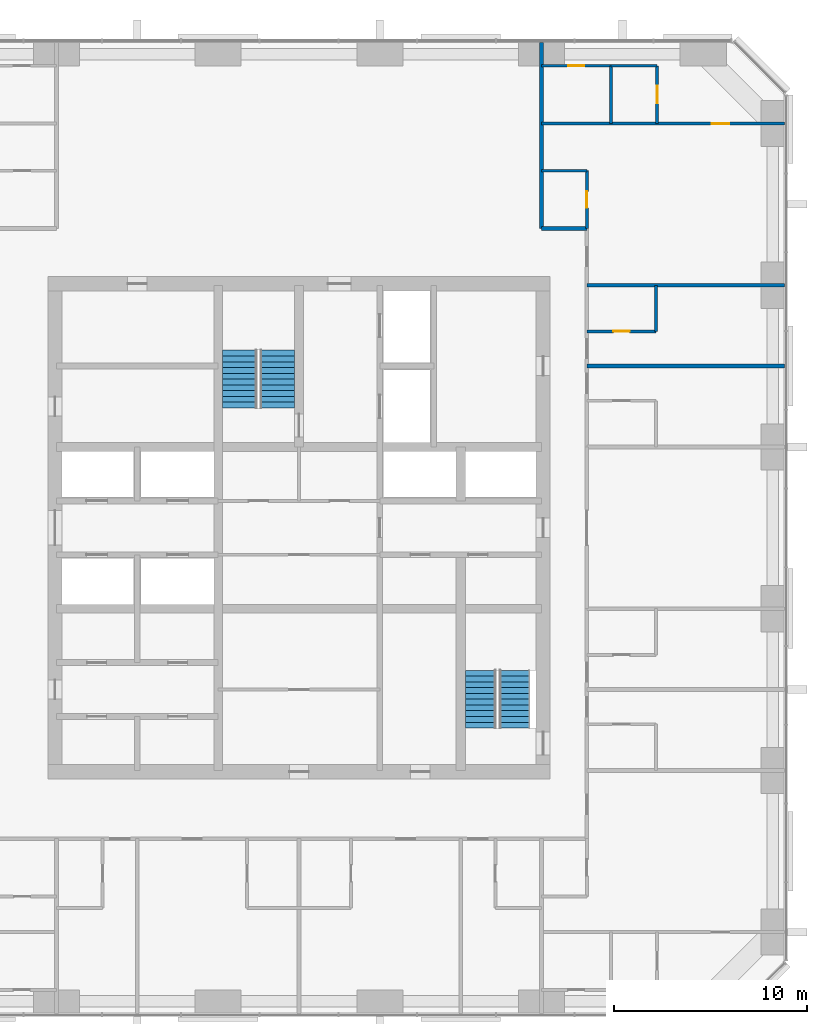
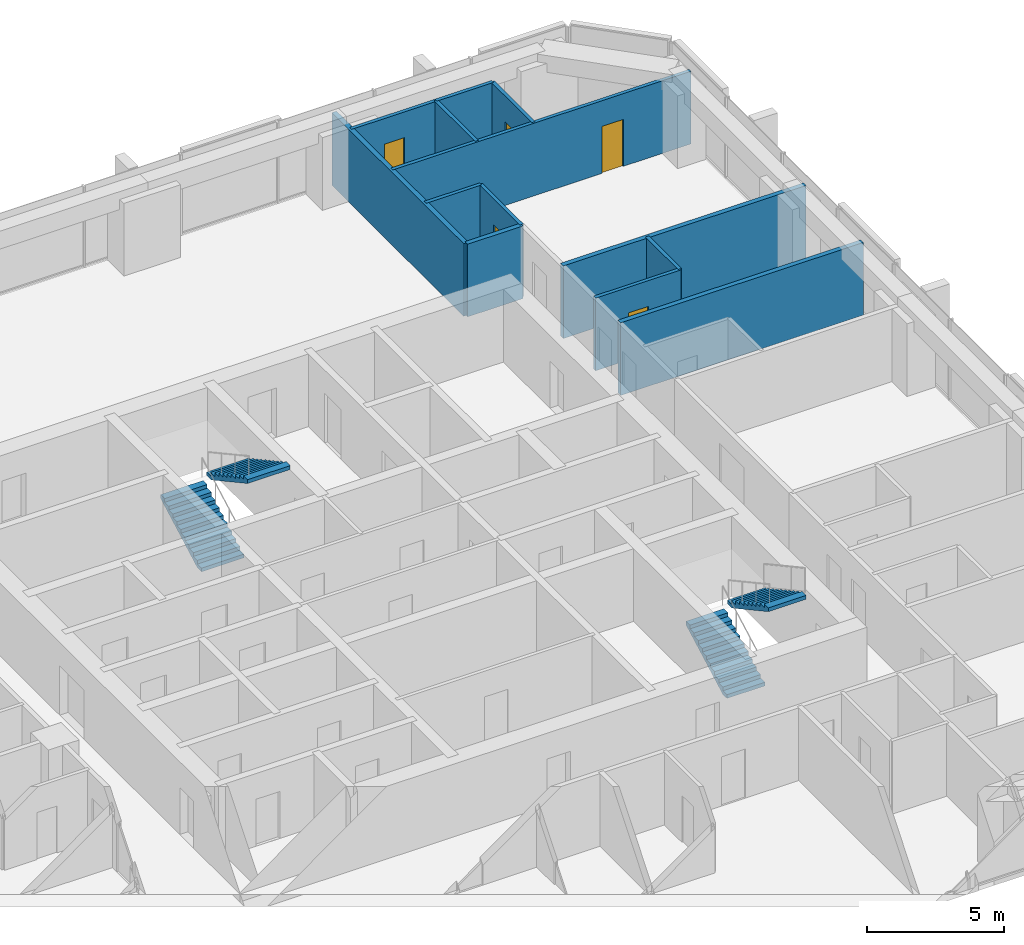
# One storey, part 12 of 13: 13 walls, 5 doors, 4 stair flights, 5 openings, 2 elements without a shape of their own.
"""IFC4 building model written with IfcOpenShell, lengths in metres."""

from ifc_helpers import new_model, si_unit, direction, frame, frame_2d, origin, place, context, subcontext, project, spatial, polyline, rectangle, outline, extrude, material, layer, layer_set, type_object, element, fill, aggregate, save


model = new_model("IFC4")

# Units and contexts
model_context = context("Model", 3, precision=1e-05, world=origin(), true_north=direction((0.0, 1.0)))
body_context = subcontext(model_context, "Body", "Model", "MODEL_VIEW")
ifc_project = project(units=[si_unit("LENGTHUNIT", "METRE"), si_unit("AREAUNIT", "SQUARE_METRE"), si_unit("VOLUMEUNIT", "CUBIC_METRE"), si_unit("PLANEANGLEUNIT", "RADIAN"), si_unit("MASSUNIT", "GRAM", prefix="KILO")], contexts=[model_context])

# Site, building, storey
site_placement = place(None, origin())
site = spatial("IfcSite", under=ifc_project, at=site_placement, CompositionType="ELEMENT")
building_placement = place(site_placement, origin())
building = spatial("IfcBuilding", under=site, at=building_placement, Name="Dunama Terrace Hotel", CompositionType="ELEMENT")
storey_placement = place(building_placement, frame((0.0, 0.0, 173.39990234375)))
storey = spatial("IfcBuildingStorey", under=building, at=storey_placement, Name="L44", CompositionType="ELEMENT", Elevation=173.39990234375)

# Wall, opening, door
ifc_material_1 = material(Name="Gypsum board partition", Category="masonry")
ifc_layer_1 = layer(ifc_material_1, 0.14990234375)
ifc_layer_set_1 = layer_set([ifc_layer_1], Name="Bathroom partition 150")
wall_type_1 = type_object("IfcWallType", Name="Bathroom partition 150", PredefinedType="PARTITIONING", material=ifc_layer_set_1)
wall_1_placement = place(storey_placement, frame((44.35009765625, 44.949951171875, 0.0), z_axis=(0.0, 0.0, 1.0), x_axis=(0.0, 1.0, 0.0)))
wall_1 = element("IfcWall", 1, at=wall_1_placement, inside=storey, type_object=wall_type_1, Name="Bathroom partition 150 L44", PredefinedType="PARTITIONING", context=body_context, shape_type="SweptSolid", body=[
    extrude(rectangle(XDim=3.0, YDim=0.14990234375, at=frame_2d((1.5, 0.0))), origin(), (0.0, 0.0, 1.0), 3.25),
])
opening_1_placement = place(wall_1_placement, frame((1.074951171875, 0.0, 0.0)))
opening_1 = element("IfcOpeningElement", 2, at=opening_1_placement, cuts=wall_1, Name="Opening L42-44-049", PredefinedType="OPENING", context=body_context, shape_type="SweptSolid", body=[
    extrude(rectangle(XDim=0.85009765625, YDim=2.10009765625, at=frame_2d((0.425048828125, 1.050048828125))), frame((0.0, 0.0849609375, 0.0), z_axis=(0.0, -1.0, 0.0), x_axis=(1.0, 0.0, 0.0)), (0.0, 0.0, 1.0), 0.169921875),
])
ifc_material_2 = material(Name="Timber door with steel frame", Category="steel")
door_type_1 = type_object("IfcDoorType", Name="Bathroom door 850", OperationType="SINGLE_SWING_LEFT", PredefinedType="DOOR", material=ifc_material_2)
door_1_placement = place(opening_1_placement, origin())
door_1 = element("IfcDoor", 3, at=door_1_placement, inside=storey, type_object=door_type_1, Name="Door to powder room L42-44-049, type D2", OperationType="SINGLE_SWING_LEFT", OverallHeight=2.10009765625, OverallWidth=0.85009765625, PredefinedType="DOOR", context=body_context, shape_type="SweptSolid", body=[
    extrude(rectangle(XDim=0.85009765625, YDim=2.10009765625, at=frame_2d((0.425048828125, 1.050048828125))), frame((0.0, 0.02490234375, 0.0), z_axis=(0.0, -1.0, 0.0), x_axis=(1.0, 0.0, 0.0)), (0.0, 0.0, 1.0), 0.050048828125),
])
fill(opening_1, door_1)

# Wall
wall_2_placement = place(storey_placement, frame((47.949951171875, 39.60009765625, 0.0), z_axis=(0.0, 0.0, 1.0), x_axis=(0.0, 1.0, 0.0)))
element("IfcWall", 4, at=wall_2_placement, inside=storey, type_object=wall_type_1, Name="Bathroom partition 150 L44", PredefinedType="PARTITIONING", context=body_context, shape_type="SweptSolid", body=[
    extrude(rectangle(XDim=2.39990234375, YDim=0.14990234375, at=frame_2d((1.199951171875, 0.0))), origin(), (0.0, 0.0, 1.0), 3.25),
])

# Wall, opening, door
wall_3_placement = place(storey_placement, frame((44.35009765625, 39.60009765625, 0.0), z_axis=(0.0, 0.0, 1.0), x_axis=(1.0, 0.0, 0.0)))
wall_3 = element("IfcWall", 5, at=wall_3_placement, inside=storey, type_object=wall_type_1, Name="Bathroom partition 150 L44", PredefinedType="PARTITIONING", context=body_context, shape_type="SweptSolid", body=[
    extrude(rectangle(XDim=3.599853515625, YDim=0.14990234375, at=frame_2d((1.7998046875, 0.0))), origin(), (0.0, 0.0, 1.0), 3.25),
])
opening_2_placement = place(wall_3_placement, frame((1.375, 0.0, 0.0)))
opening_2 = element("IfcOpeningElement", 6, at=opening_2_placement, cuts=wall_3, Name="Opening L42-44-025", PredefinedType="OPENING", context=body_context, shape_type="SweptSolid", body=[
    extrude(rectangle(XDim=0.85009765625, YDim=2.10009765625, at=frame_2d((0.425048828125, 1.050048828125))), frame((0.0, 0.0849609375, 0.0), z_axis=(0.0, -1.0, 0.0), x_axis=(1.0, 0.0, 0.0)), (0.0, 0.0, 1.0), 0.169921875),
])
door_2_placement = place(opening_2_placement, origin())
door_2 = element("IfcDoor", 7, at=door_2_placement, inside=storey, type_object=door_type_1, Name="Door to en-suite bathroom L42-44-025, type D2", OperationType="SINGLE_SWING_LEFT", OverallHeight=2.10009765625, OverallWidth=0.85009765625, PredefinedType="DOOR", context=body_context, shape_type="SweptSolid", body=[
    extrude(rectangle(XDim=0.85009765625, YDim=2.10009765625, at=frame_2d((0.425048828125, 1.050048828125))), frame((0.0, 0.02490234375, 0.0), z_axis=(0.0, -1.0, 0.0), x_axis=(1.0, 0.0, 0.0)), (0.0, 0.0, 1.0), 0.050048828125),
])
fill(opening_2, door_2)

# Wall
wall_4_placement = place(storey_placement, frame((42.0, 47.949951171875, 0.0), z_axis=(0.0, 0.0, 1.0), x_axis=(1.0, 0.0, 0.0)))
element("IfcWall", 8, at=wall_4_placement, inside=storey, type_object=wall_type_1, Name="Bathroom partition 150 L44", PredefinedType="PARTITIONING", context=body_context, shape_type="SweptSolid", body=[
    extrude(rectangle(XDim=2.35009765625, YDim=0.14990234375, at=frame_2d((1.175048828125, 0.0))), origin(), (0.0, 0.0, 1.0), 3.25),
])

# Wall, opening, door
wall_5_placement = place(storey_placement, frame((42.0, 53.39990234375, 0.0), z_axis=(0.0, 0.0, 1.0), x_axis=(1.0, 0.0, 0.0)))
wall_5 = element("IfcWall", 9, at=wall_5_placement, inside=storey, type_object=wall_type_1, Name="Bathroom partition 150 L44", PredefinedType="PARTITIONING", context=body_context, shape_type="SweptSolid", body=[
    extrude(rectangle(XDim=3.60009765625, YDim=0.14990234375, at=frame_2d((1.800048828125, 0.0))), origin(), (0.0, 0.0, 1.0), 3.25),
])
opening_3_placement = place(wall_5_placement, frame((1.375, 0.0, 0.0)))
opening_3 = element("IfcOpeningElement", 10, at=opening_3_placement, cuts=wall_5, Name="Opening L42-44-051", PredefinedType="OPENING", context=body_context, shape_type="SweptSolid", body=[
    extrude(rectangle(XDim=0.85009765625, YDim=2.10009765625, at=frame_2d((0.425048828125, 1.050048828125))), frame((0.0, 0.0849609375, 0.0), z_axis=(0.0, -1.0, 0.0), x_axis=(1.0, 0.0, 0.0)), (0.0, 0.0, 1.0), 0.169921875),
])
door_3_placement = place(opening_3_placement, frame((0.85009765625, 0.0, 0.0), z_axis=(0.0, 0.0, 1.0), x_axis=(-1.0, 0.0, 0.0)))
door_3 = element("IfcDoor", 11, at=door_3_placement, inside=storey, type_object=door_type_1, Name="Door to en-suite bathroom L42-44-051, type D2", OperationType="SINGLE_SWING_RIGHT", OverallHeight=2.10009765625, OverallWidth=0.85009765625, PredefinedType="DOOR", context=body_context, shape_type="SweptSolid", body=[
    extrude(rectangle(XDim=0.85009765625, YDim=2.10009765625, at=frame_2d((0.425048828125, 1.050048828125))), frame((0.0, 0.025146484375, 0.0), z_axis=(0.0, -1.0, 0.0), x_axis=(1.0, 0.0, 0.0)), (0.0, 0.0, 1.0), 0.050048828125),
])
fill(opening_3, door_3)

# Walls
ifc_material_3 = material(Name="Concrete blockwork", Category="masonry")
ifc_layer_2 = layer(ifc_material_3, 0.199951171875)
ifc_layer_set_2 = layer_set([ifc_layer_2], Name="Corridor partition 200")
wall_type_2 = type_object("IfcWallType", Name="Corridor partition 200", PredefinedType="PARTITIONING", material=ifc_layer_set_2)
wall_6_placement = place(storey_placement, frame((42.0, 44.949951171875, 0.0), z_axis=(0.0, 0.0, 1.0), x_axis=(1.0, 0.0, 0.0)))
element("IfcWall", 12, at=wall_6_placement, inside=storey, type_object=wall_type_2, Name="Corridor partition 200 L44", PredefinedType="PARTITIONING", context=body_context, shape_type="SweptSolid", body=[
    extrude(rectangle(XDim=2.35009765625, YDim=0.199951171875, at=frame_2d((1.175048828125, 0.0))), origin(), (0.0, 0.0, 1.0), 3.25),
])
wall_7_placement = place(storey_placement, frame((42.0, 54.617919921875, 0.0), z_axis=(0.0, 0.0, 1.0), x_axis=(0.0, -1.0, 0.0)))
element("IfcWall", 13, at=wall_7_placement, inside=storey, type_object=wall_type_2, Name="Corridor partition 200 L44", PredefinedType="PARTITIONING", context=body_context, shape_type="SweptSolid", body=[
    extrude(rectangle(XDim=9.66796875, YDim=0.199951171875, at=frame_2d((4.833984375, 0.0))), origin(), (0.0, 0.0, 1.0), 3.25),
])
ifc_material_4 = material(Name="Concrete blockwork", Category="masonry")
ifc_layer_3 = layer(ifc_material_4, 0.199951171875)
ifc_layer_set_3 = layer_set([ifc_layer_3], Name="Party wall 200")
wall_type_3 = type_object("IfcWallType", Name="Party wall 200", PredefinedType="PARTITIONING", material=ifc_layer_set_3)
for number, where, z_axis, x_axis, name in (
    (14, (44.35009765625, 37.800048828125, 0.0), (0.0, 0.0, 1.0), (1.0, 0.0, 0.0), "Party wall 200 L44"),
    (15, (44.35009765625, 42.0, 0.0), (0.0, 0.0, 1.0), (1.0, 0.0, 0.0), "Party wall 200 L44"),
):
    element("IfcWall", number, at=place(storey_placement, frame(where, z_axis=z_axis, x_axis=x_axis)), inside=storey, type_object=wall_type_3, Name=name, PredefinedType="PARTITIONING", context=body_context, shape_type="SweptSolid", body=[
        extrude(rectangle(XDim=10.267822265625, YDim=0.199951171875, at=frame_2d((5.1337890625, 0.0))), origin(), (0.0, 0.0, 1.0), 3.25),
    ])
ifc_material_5 = material(Name="Gypsum board partition", Category="masonry")
ifc_layer_4 = layer(ifc_material_5, 0.14990234375)
ifc_layer_set_4 = layer_set([ifc_layer_4], Name="Room partition 150")
wall_type_4 = type_object("IfcWallType", Name="Room partition 150", PredefinedType="PARTITIONING", material=ifc_layer_set_4)
wall_8_placement = place(storey_placement, frame((45.60009765625, 50.39990234375, 0.0), z_axis=(0.0, 0.0, 1.0), x_axis=(0.0, 1.0, 0.0)))
element("IfcWall", 16, at=wall_8_placement, inside=storey, type_object=wall_type_4, Name="Room partition 150 L44", PredefinedType="PARTITIONING", context=body_context, shape_type="SweptSolid", body=[
    extrude(rectangle(XDim=3.0, YDim=0.14990234375, at=frame_2d((1.5, 0.0))), origin(), (0.0, 0.0, 1.0), 3.25),
])

# Wall, opening, door
wall_9_placement = place(storey_placement, frame((48.0, 50.39990234375, 0.0), z_axis=(0.0, 0.0, 1.0), x_axis=(0.0, 1.0, 0.0)))
wall_9 = element("IfcWall", 17, at=wall_9_placement, inside=storey, type_object=wall_type_4, Name="Room partition 150 L44", PredefinedType="PARTITIONING", context=body_context, shape_type="SweptSolid", body=[
    extrude(rectangle(XDim=3.0, YDim=0.14990234375, at=frame_2d((1.5, 0.0))), origin(), (0.0, 0.0, 1.0), 3.25),
])
opening_4_placement = place(wall_9_placement, frame((1.050048828125, 0.0, 0.0)))
opening_4 = element("IfcOpeningElement", 18, at=opening_4_placement, cuts=wall_9, Name="Opening L42-44-052", PredefinedType="OPENING", context=body_context, shape_type="SweptSolid", body=[
    extrude(rectangle(XDim=0.89990234375, YDim=2.10009765625, at=frame_2d((0.449951171875, 1.050048828125))), frame((0.0, 0.0849609375, 0.0), z_axis=(0.0, -1.0, 0.0), x_axis=(1.0, 0.0, 0.0)), (0.0, 0.0, 1.0), 0.169921875),
])
ifc_material_6 = material(Name="Timber door with steel frame", Category="steel")
door_type_2 = type_object("IfcDoorType", Name="Suite internal door 900", OperationType="SINGLE_SWING_LEFT", PredefinedType="DOOR", material=ifc_material_6)
door_4_placement = place(opening_4_placement, origin())
door_4 = element("IfcDoor", 19, at=door_4_placement, inside=storey, type_object=door_type_2, Name="Door to dressing room L42-44-052, type D16", OperationType="SINGLE_SWING_LEFT", OverallHeight=2.10009765625, OverallWidth=0.89990234375, PredefinedType="DOOR", context=body_context, shape_type="SweptSolid", body=[
    extrude(rectangle(XDim=0.89990234375, YDim=2.10009765625, at=frame_2d((0.449951171875, 1.050048828125))), frame((0.0, 0.02490234375, 0.0), z_axis=(0.0, -1.0, 0.0), x_axis=(1.0, 0.0, 0.0)), (0.0, 0.0, 1.0), 0.050048828125),
])
fill(opening_4, door_4)

wall_10_placement = place(storey_placement, frame((42.0, 50.39990234375, 0.0), z_axis=(0.0, 0.0, 1.0), x_axis=(1.0, 0.0, 0.0)))
wall_10 = element("IfcWall", 20, at=wall_10_placement, inside=storey, type_object=wall_type_4, Name="Room partition 150 L44", PredefinedType="PARTITIONING", context=body_context, shape_type="SweptSolid", body=[
    extrude(rectangle(XDim=12.617919921875, YDim=0.14990234375, at=frame_2d((6.30908203125, 0.0))), origin(), (0.0, 0.0, 1.0), 3.25),
])
opening_5_placement = place(wall_10_placement, frame((8.85009765625, 0.0, 0.0)))
opening_5 = element("IfcOpeningElement", 21, at=opening_5_placement, cuts=wall_10, Name="Opening L42-44-050", PredefinedType="OPENING", context=body_context, shape_type="SweptSolid", body=[
    extrude(rectangle(XDim=0.89990234375, YDim=2.10009765625, at=frame_2d((0.449951171875, 1.050048828125))), frame((0.0, 0.0849609375, 0.0), z_axis=(0.0, -1.0, 0.0), x_axis=(1.0, 0.0, 0.0)), (0.0, 0.0, 1.0), 0.169921875),
])
door_5_placement = place(opening_5_placement, origin())
door_5 = element("IfcDoor", 22, at=door_5_placement, inside=storey, type_object=door_type_2, Name="Door to corner suite bedroom L42-44-050, type D16", OperationType="SINGLE_SWING_RIGHT", OverallHeight=2.10009765625, OverallWidth=0.89990234375, PredefinedType="DOOR", context=body_context, shape_type="SweptSolid", body=[
    extrude(rectangle(XDim=0.89990234375, YDim=2.10009765625, at=frame_2d((0.449951171875, 1.050048828125))), frame((0.0, 0.02490234375, 0.0), z_axis=(0.0, -1.0, 0.0), x_axis=(1.0, 0.0, 0.0)), (0.0, 0.0, 1.0), 0.050048828125),
])
fill(opening_5, door_5)

# Wall
wall_11_placement = place(storey_placement, frame((45.60009765625, 53.39990234375, 0.0), z_axis=(0.0, 0.0, 1.0), x_axis=(1.0, 0.0, 0.0)))
element("IfcWall", 23, at=wall_11_placement, inside=storey, type_object=wall_type_4, Name="Room partition 150 L44", PredefinedType="PARTITIONING", context=body_context, shape_type="SweptSolid", body=[
    extrude(rectangle(XDim=2.39990234375, YDim=0.14990234375, at=frame_2d((1.199951171875, 0.0))), origin(), (0.0, 0.0, 1.0), 3.25),
])

# Stair, stair flights
ifc_material_7 = material(Name="Concrete C40/50", Category="concrete")
stair_type_1 = type_object("IfcStairType", Name="Stair ST1-3600-1800", PredefinedType="HALF_TURN_STAIR", material=ifc_material_7)
stair_1_placement = place(storey_placement, origin())
stair_1 = element("IfcStair", 24, at=stair_1_placement, inside=storey, type_object=stair_type_1, Name="Stair ST1 L44", PredefinedType="HALF_TURN_STAIR")
ifc_material_8 = material(Name="Concrete C40/50", Category="concrete")
stair_flight_type_1 = type_object("IfcStairFlightType", Name="Stair flight ST1-3600-1800", PredefinedType="STRAIGHT", material=ifc_material_8)
stair_flight_1_placement = place(storey_placement, frame((26.324951171875, 35.625, 0.0), z_axis=(0.0, 0.0, 1.0), x_axis=(0.0, 1.0, 0.0)))
stair_flight_1 = element("IfcStairFlight", 25, at=stair_flight_1_placement, type_object=stair_flight_type_1, Name="ST1 flight 1", NumberOfRisers=11, NumberOfTreads=10, PredefinedType="STRAIGHT", RiserHeight=0.163636364, TreadLength=0.3, context=body_context, shape_type="SweptSolid", body=[
    extrude(outline(polyline([(0.0, 0.0), (0.0, 0.16357421875), (0.300048828125, 0.16357421875), (0.300048828125, 0.327392578125), (0.60009765625, 0.327392578125), (0.60009765625, 0.490966796875), (0.89990234375, 0.490966796875), (0.89990234375, 0.654541015625), (1.199951171875, 0.654541015625), (1.199951171875, 0.818115234375), (1.5, 0.818115234375), (1.5, 0.98193359375), (1.800048828125, 0.98193359375), (1.800048828125, 1.1455078125), (2.10009765625, 1.1455078125), (2.10009765625, 1.30908203125), (2.39990234375, 1.30908203125), (2.39990234375, 1.47265625), (2.699951171875, 1.47265625), (2.699951171875, 1.636474609375), (3.0, 1.636474609375), (3.0, 1.800048828125), (3.0, 1.465576171875), (0.31298828125, 0.0), (0.0, 0.0)])), frame((0.0, 0.89990234375, 0.0), z_axis=(0.0, -1.0, 0.0), x_axis=(1.0, 0.0, 0.0)), (0.0, 0.0, 1.0), 1.800048828125),
])
stair_flight_2_placement = place(storey_placement, frame((28.27490234375, 38.625, 1.800048828125), z_axis=(0.0, 0.0, 1.0), x_axis=(0.0, -1.0, 0.0)))
stair_flight_2 = element("IfcStairFlight", 26, at=stair_flight_2_placement, type_object=stair_flight_type_1, Name="ST1 flight 2", NumberOfRisers=11, NumberOfTreads=10, PredefinedType="STRAIGHT", RiserHeight=0.163636364, TreadLength=0.3, context=body_context, shape_type="SweptSolid", body=[
    extrude(outline(polyline([(0.0, 0.0), (0.0, 0.16357421875), (0.300048828125, 0.16357421875), (0.300048828125, 0.327392578125), (0.60009765625, 0.327392578125), (0.60009765625, 0.490966796875), (0.89990234375, 0.490966796875), (0.89990234375, 0.654541015625), (1.199951171875, 0.654541015625), (1.199951171875, 0.818115234375), (1.5, 0.818115234375), (1.5, 0.98193359375), (1.800048828125, 0.98193359375), (1.800048828125, 1.1455078125), (2.10009765625, 1.1455078125), (2.10009765625, 1.30908203125), (2.39990234375, 1.30908203125), (2.39990234375, 1.47265625), (2.699951171875, 1.47265625), (2.699951171875, 1.636474609375), (3.0, 1.636474609375), (3.0, 1.800048828125), (3.0, 1.465576171875), (0.31298828125, 0.0), (0.0, 0.0)])), frame((0.0, 0.89990234375, 0.0), z_axis=(0.0, -1.0, 0.0), x_axis=(1.0, 0.0, 0.0)), (0.0, 0.0, 1.0), 1.800048828125),
])
aggregate(stair_1, [stair_flight_1, stair_flight_2])

ifc_material_9 = material(Name="Concrete C40/50", Category="concrete")
stair_type_2 = type_object("IfcStairType", Name="Stair ST2-3600-1600", PredefinedType="HALF_TURN_STAIR", material=ifc_material_9)
stair_2_placement = place(storey_placement, origin())
stair_2 = element("IfcStair", 27, at=stair_2_placement, inside=storey, type_object=stair_type_2, Name="Stair ST2 L44", PredefinedType="HALF_TURN_STAIR")
ifc_material_10 = material(Name="Concrete C40/50", Category="concrete")
stair_flight_type_2 = type_object("IfcStairFlightType", Name="Stair flight ST2-3600-1600", PredefinedType="STRAIGHT", material=ifc_material_10)
stair_flight_3_placement = place(storey_placement, frame((38.85009765625, 19.0, 0.0), z_axis=(0.0, 0.0, 1.0), x_axis=(0.0, 1.0, 0.0)))
stair_flight_3 = element("IfcStairFlight", 28, at=stair_flight_3_placement, type_object=stair_flight_type_2, Name="ST2 flight 1", NumberOfRisers=11, NumberOfTreads=10, PredefinedType="STRAIGHT", RiserHeight=0.163636364, TreadLength=0.3, context=body_context, shape_type="SweptSolid", body=[
    extrude(outline(polyline([(0.0, 0.0), (0.0, 0.16357421875), (0.300048828125, 0.16357421875), (0.300048828125, 0.327392578125), (0.60009765625, 0.327392578125), (0.60009765625, 0.490966796875), (0.89990234375, 0.490966796875), (0.89990234375, 0.654541015625), (1.199951171875, 0.654541015625), (1.199951171875, 0.818115234375), (1.5, 0.818115234375), (1.5, 0.98193359375), (1.800048828125, 0.98193359375), (1.800048828125, 1.1455078125), (2.10009765625, 1.1455078125), (2.10009765625, 1.30908203125), (2.39990234375, 1.30908203125), (2.39990234375, 1.47265625), (2.699951171875, 1.47265625), (2.699951171875, 1.636474609375), (3.0, 1.636474609375), (3.0, 1.800048828125), (3.0, 1.465576171875), (0.31298828125, 0.0), (0.0, 0.0)])), frame((0.0, 0.800048828125, 0.0), z_axis=(0.0, -1.0, 0.0), x_axis=(1.0, 0.0, 0.0)), (0.0, 0.0, 1.0), 1.60009765625),
])
stair_flight_4_placement = place(storey_placement, frame((40.60009765625, 22.0, 1.800048828125), z_axis=(0.0, 0.0, 1.0), x_axis=(0.0, -1.0, 0.0)))
stair_flight_4 = element("IfcStairFlight", 29, at=stair_flight_4_placement, type_object=stair_flight_type_2, Name="ST2 flight 2", NumberOfRisers=11, NumberOfTreads=10, PredefinedType="STRAIGHT", RiserHeight=0.163636364, TreadLength=0.3, context=body_context, shape_type="SweptSolid", body=[
    extrude(outline(polyline([(0.0, 0.0), (0.0, 0.16357421875), (0.300048828125, 0.16357421875), (0.300048828125, 0.327392578125), (0.60009765625, 0.327392578125), (0.60009765625, 0.490966796875), (0.89990234375, 0.490966796875), (0.89990234375, 0.654541015625), (1.199951171875, 0.654541015625), (1.199951171875, 0.818115234375), (1.5, 0.818115234375), (1.5, 0.98193359375), (1.800048828125, 0.98193359375), (1.800048828125, 1.1455078125), (2.10009765625, 1.1455078125), (2.10009765625, 1.30908203125), (2.39990234375, 1.30908203125), (2.39990234375, 1.47265625), (2.699951171875, 1.47265625), (2.699951171875, 1.636474609375), (3.0, 1.636474609375), (3.0, 1.800048828125), (3.0, 1.465576171875), (0.31298828125, 0.0), (0.0, 0.0)])), frame((0.0, 0.800048828125, 0.0), z_axis=(0.0, -1.0, 0.0), x_axis=(1.0, 0.0, 0.0)), (0.0, 0.0, 1.0), 1.60009765625),
])
aggregate(stair_2, [stair_flight_3, stair_flight_4])

save(model, "model.ifc")
